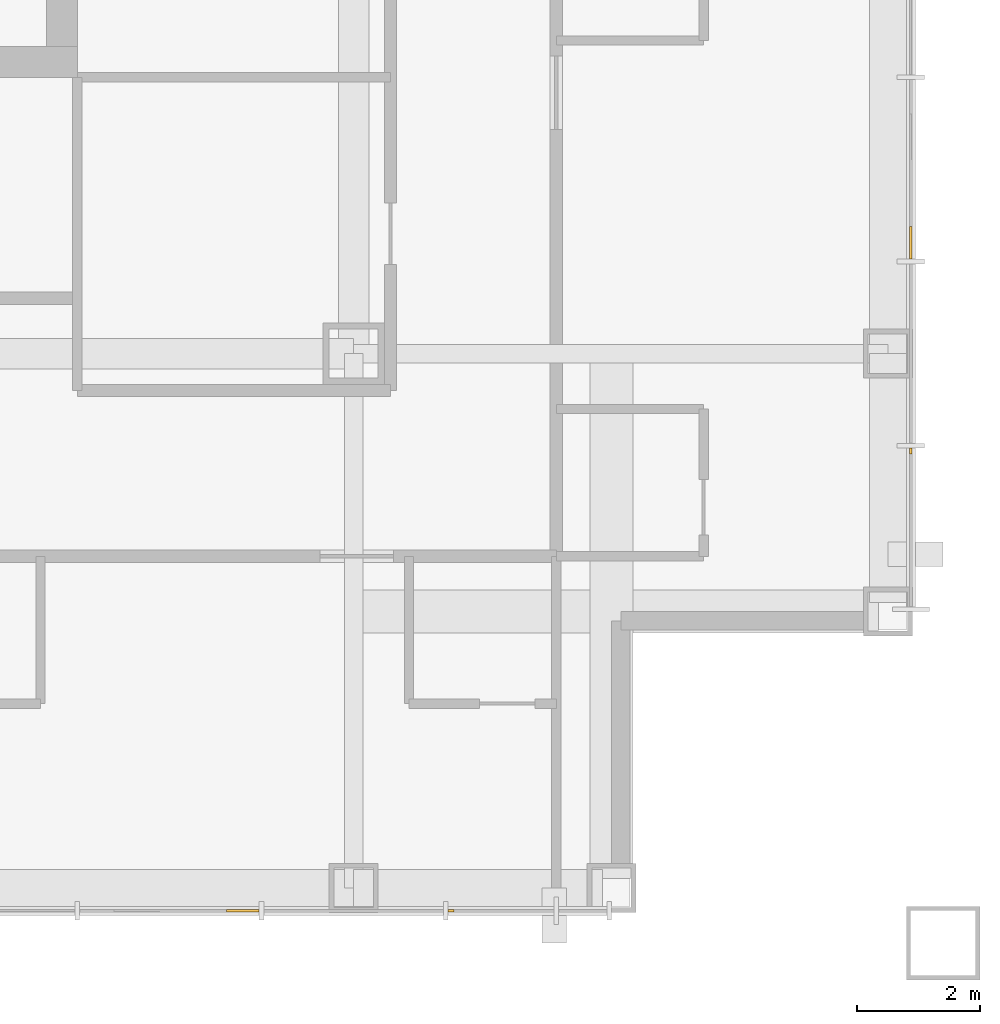
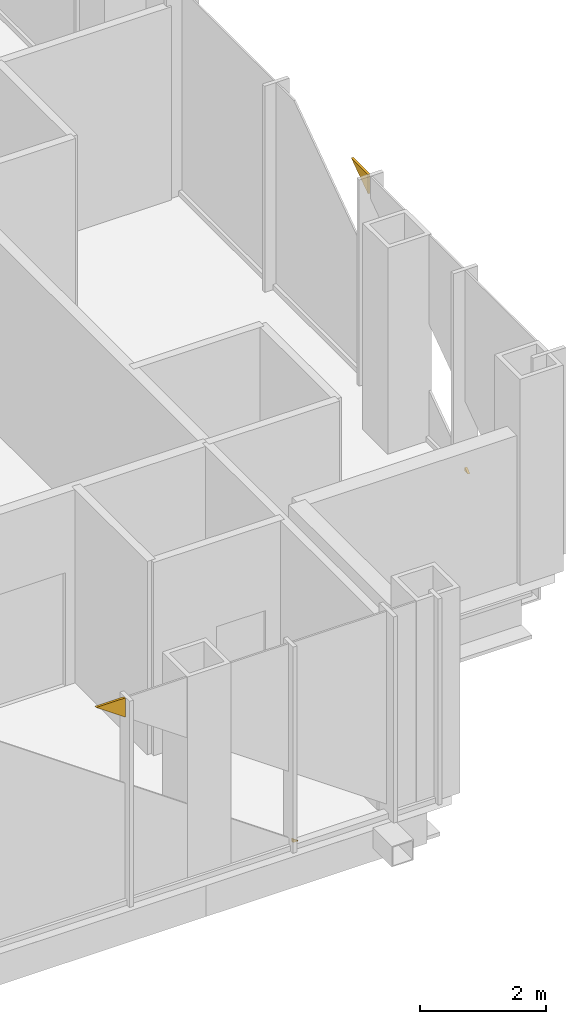
# One storey, part 13 of 15: 4 coverings.
"""IFC4 building model written with IfcOpenShell, lengths in metres."""

from ifc_helpers import new_model, si_unit, direction, frame, origin, place, context, subcontext, project, spatial, polyline, outline, extrude, material, layer, layer_set, type_object, element, save


model = new_model("IFC4")

# Units and contexts
model_context = context("Model", 3, precision=1e-05, world=origin(), true_north=direction((0.0, 1.0)))
body_context = subcontext(model_context, "Body", "Model", "MODEL_VIEW")
ifc_project = project(units=[si_unit("LENGTHUNIT", "METRE"), si_unit("AREAUNIT", "SQUARE_METRE"), si_unit("VOLUMEUNIT", "CUBIC_METRE"), si_unit("PLANEANGLEUNIT", "RADIAN"), si_unit("MASSUNIT", "GRAM", prefix="KILO")], contexts=[model_context])

# Site, building, storey
site_placement = place(None, origin())
site = spatial("IfcSite", under=ifc_project, at=site_placement, CompositionType="ELEMENT")
building_placement = place(site_placement, origin())
building = spatial("IfcBuilding", under=site, at=building_placement, Name="Malebo Sky Hospital", CompositionType="ELEMENT")
storey_placement = place(building_placement, frame((0.0, 0.0, 181.0)))
storey = spatial("IfcBuildingStorey", under=building, at=storey_placement, Name="L43", CompositionType="ELEMENT", Elevation=181.0)

# Coverings
ifc_material = material(Name="Anodised aluminium, natural silver insulated infill panel", Category="aluminium")
ifc_layer = layer(ifc_material, 0.0400390625)
ifc_layer_set = layer_set([ifc_layer], Name="BRACE INFILL PANEL 40")
covering_type = type_object("IfcCoveringType", Name="BRACE INFILL PANEL 40", PredefinedType="CLADDING", material=ifc_layer_set)
covering_1_placement = place(storey_placement, frame((75.087890625, 39.425048828125, 0.10009765625), z_axis=(0.0, 0.0, 1.0), x_axis=(-1.0, 0.0, 0.0)))
element("IfcCovering", 1, at=covering_1_placement, inside=storey, type_object=covering_type, Name="Brace infill panel 2.1", PredefinedType="CLADDING", context=body_context, shape_type="SweptSolid", body=[
    extrude(outline(polyline([(-0.05029296875, 0.0), (0.05029296875, 0.0), (0.05029296875, 0.07080078125), (-0.05029296875, 0.0)])), frame((0.0, 0.02001953125, 0.0), z_axis=(0.0, -1.0, 0.0), x_axis=(1.0, 0.0, 0.0)), (0.0, 0.0, 1.0), 0.0400390625),
])
covering_2_placement = place(storey_placement, frame((71.695556640625, 39.425048828125, 3.614990234375), z_axis=(0.0, 0.0, 1.0), x_axis=(-1.0, 0.0, 0.0)))
element("IfcCovering", 2, at=covering_2_placement, inside=storey, type_object=covering_type, Name="Brace infill panel 4.1", PredefinedType="CLADDING", context=body_context, shape_type="SweptSolid", body=[
    extrude(outline(polyline([(-0.26708984375, 0.0), (0.26708984375, 0.375), (-0.26708984375, 0.375), (-0.26708984375, 0.0)])), frame((0.0, 0.02001953125, 0.0), z_axis=(0.0, -1.0, 0.0), x_axis=(1.0, 0.0, 0.0)), (0.0, 0.0, 1.0), 0.0400390625),
])
covering_3_placement = place(storey_placement, frame((82.574951171875, 50.304443359375, 3.614990234375), z_axis=(0.0, 0.0, 1.0), x_axis=(0.0, -1.0, 0.0)))
element("IfcCovering", 3, at=covering_3_placement, inside=storey, type_object=covering_type, Name="Brace infill panel 11.1", PredefinedType="CLADDING", context=body_context, shape_type="SweptSolid", body=[
    extrude(outline(polyline([(0.26708984375, 0.0), (0.26708984375, 0.375), (-0.26708984375, 0.375), (0.26708984375, 0.0)])), frame((0.0, 0.02001953125, 0.0), z_axis=(0.0, -1.0, 0.0), x_axis=(1.0, 0.0, 0.0)), (0.0, 0.0, 1.0), 0.0400390625),
])
covering_4_placement = place(storey_placement, frame((82.574951171875, 46.912109375, 0.10009765625), z_axis=(0.0, 0.0, 1.0), x_axis=(0.0, -1.0, 0.0)))
element("IfcCovering", 4, at=covering_4_placement, inside=storey, type_object=covering_type, Name="Brace infill panel 13.1", PredefinedType="CLADDING", context=body_context, shape_type="SweptSolid", body=[
    extrude(outline(polyline([(-0.05029296875, 0.0), (0.05029296875, 0.0), (-0.05029296875, 0.07080078125), (-0.05029296875, 0.0)])), frame((0.0, 0.02001953125, 0.0), z_axis=(0.0, -1.0, 0.0), x_axis=(1.0, 0.0, 0.0)), (0.0, 0.0, 1.0), 0.0400390625),
])

save(model, "model.ifc")
